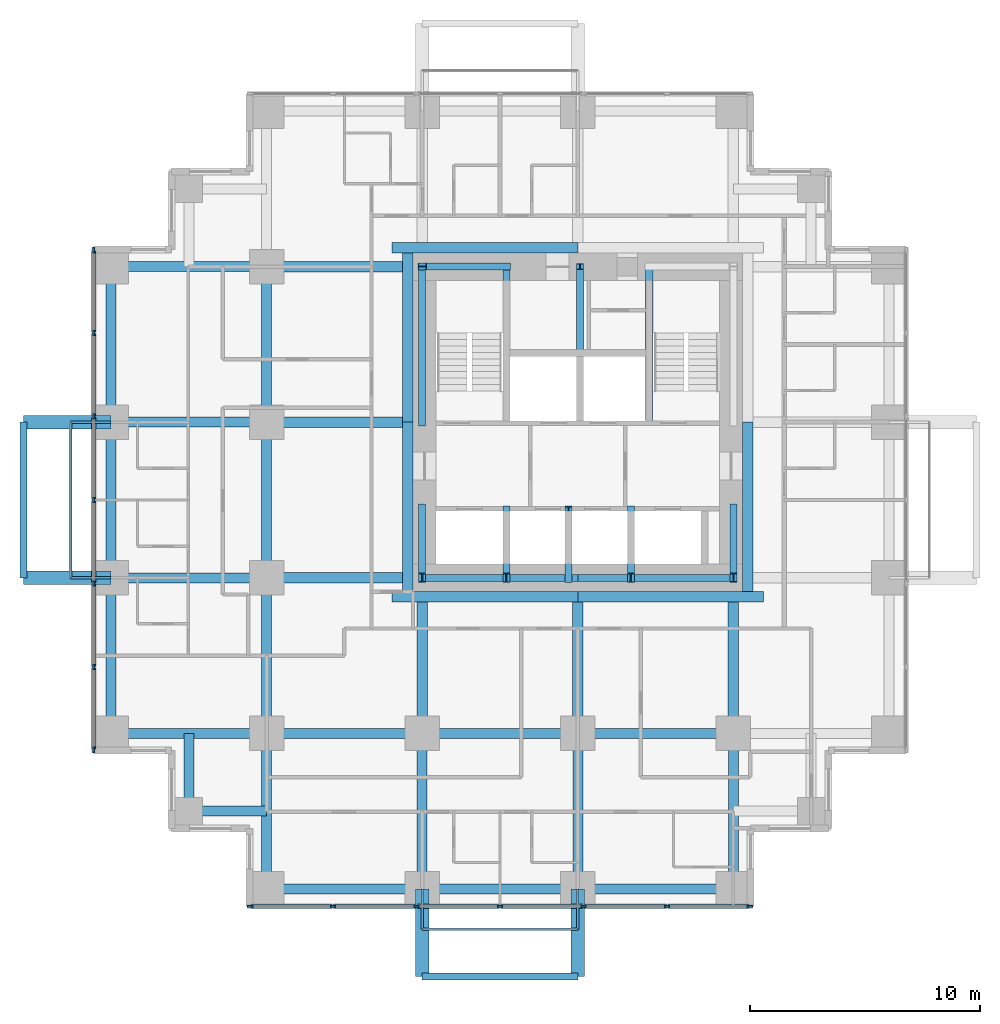
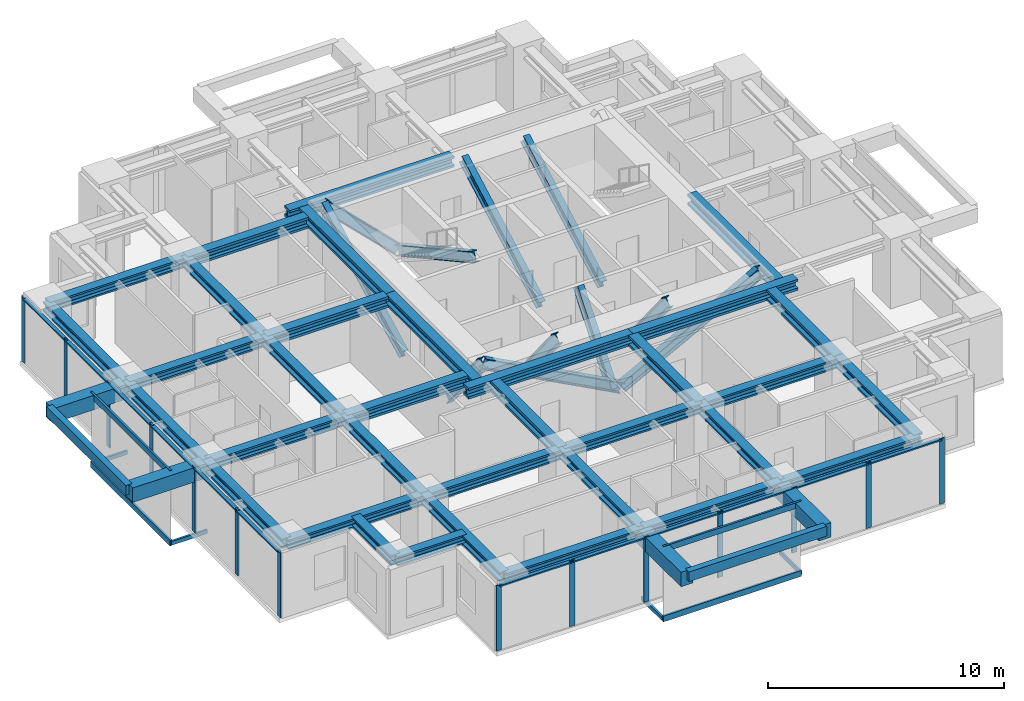
# One storey, part 2 of 10: 46 members, 40 beams, 2 elements without a shape of their own.
"""IFC4 building model written with IfcOpenShell, lengths in metres."""

from ifc_helpers import new_model, si_unit, direction, frame, origin, origin_2d, place, context, subcontext, project, spatial, rectangle, hollow_rectangle, i_section, extrude, material, material_profile, profile_set, type_object, element, aggregate, save


model = new_model("IFC4")

# Units and contexts
model_context = context("Model", 3, precision=1e-05, world=origin(), true_north=direction((0.0, 1.0)))
body_context = subcontext(model_context, "Body", "Model", "MODEL_VIEW")
ifc_project = project(units=[si_unit("LENGTHUNIT", "METRE"), si_unit("AREAUNIT", "SQUARE_METRE"), si_unit("VOLUMEUNIT", "CUBIC_METRE"), si_unit("PLANEANGLEUNIT", "RADIAN"), si_unit("MASSUNIT", "GRAM", prefix="KILO")], contexts=[model_context])

# Site, building, storey
site_placement = place(None, origin())
site = spatial("IfcSite", under=ifc_project, at=site_placement, CompositionType="ELEMENT")
building_placement = place(site_placement, origin())
building = spatial("IfcBuilding", under=site, at=building_placement, Name="Nyansa Garden Tower", CompositionType="ELEMENT")
storey_placement = place(building_placement, frame((0.0, 0.0, 167.39990234375)))
storey = spatial("IfcBuildingStorey", under=building, at=storey_placement, Name="L45", CompositionType="ELEMENT", Elevation=167.39990234375)

# Beams
ifc_material_1 = material(Name="Concrete C70/85", Category="concrete")
ifc_material_profile_1 = material_profile(ifc_material_1, rectangle(XDim=0.60009765625, YDim=0.75, at=origin_2d()), Name="RC 600x750")
ifc_profile_set_1 = profile_set([ifc_material_profile_1], Name="Concrete C70/85")
beam_type_1 = type_object("IfcBeamType", Name="Balcony cantilever beam CB1 RC 600x750", PredefinedType="BEAM", material=ifc_profile_set_1)
for number, where, z_axis, x_axis, name in (
    (1, (13.5, 0.0, 2.985107421875), (0.0, -1.0, 0.0), (1.0, 0.0, 0.0), "Balcony cantilever beam L46"),
    (2, (20.25, 0.0, 2.985107421875), (0.0, -1.0, 0.0), (1.0, 0.0, 0.0), "Balcony cantilever beam L46"),
    (3, (0.0, 13.5, 2.985107421875), (-1.0, 0.0, 0.0), (0.0, -1.0, 0.0), "Balcony cantilever beam L46"),
    (4, (0.0, 20.25, 2.985107421875), (-1.0, 0.0, 0.0), (0.0, -1.0, 0.0), "Balcony cantilever beam L46"),
):
    element("IfcBeam", number, at=place(storey_placement, frame(where, z_axis=z_axis, x_axis=x_axis)), inside=storey, type_object=beam_type_1, Name=name, PredefinedType="BEAM", context=body_context, shape_type="SweptSolid", body=[
        extrude(rectangle(XDim=0.60009765625, YDim=0.75, at=origin_2d()), origin(), (0.0, 0.0, 1.0), 3.800048828125),
    ])
ifc_material_2 = material(Name="Concrete C70/85", Category="concrete")
ifc_material_profile_2 = material_profile(ifc_material_2, rectangle(XDim=0.300048828125, YDim=0.5, at=origin_2d()), Name="RC 300x500")
ifc_profile_set_2 = profile_set([ifc_material_profile_2], Name="Concrete C70/85")
beam_type_2 = type_object("IfcBeamType", Name="Balcony edge beam BE1 RC 300x500", PredefinedType="BEAM", material=ifc_profile_set_2)
for number, where, z_axis, x_axis, name in (
    (5, (13.5, -3.800048828125, 3.110107421875), (1.0, 0.0, 0.0), (0.0, 1.0, 0.0), "Balcony edge beam L46"),
    (6, (-3.800048828125, 13.5, 3.110107421875), (0.0, 1.0, 0.0), (-1.0, 0.0, 0.0), "Balcony edge beam L46"),
):
    element("IfcBeam", number, at=place(storey_placement, frame(where, z_axis=z_axis, x_axis=x_axis)), inside=storey, type_object=beam_type_2, Name=name, PredefinedType="BEAM", context=body_context, shape_type="SweptSolid", body=[
        extrude(rectangle(XDim=0.300048828125, YDim=0.5, at=origin_2d()), origin(), (0.0, 0.0, 1.0), 6.75),
    ])

# Curtain wall, members
ifc_material_3 = material(Name="Black anodised aluminium, dark tinted double glazing", Category="aluminium")
curtain_wall_type = type_object("IfcCurtainWallType", Name="Inner skin curtain wall ISW-C", PredefinedType="USERDEFINED", material=ifc_material_3)
curtain_wall_1_placement = place(storey_placement, origin())
curtain_wall_1 = element("IfcCurtainWall", 7, at=curtain_wall_1_placement, inside=storey, type_object=curtain_wall_type, Name="Inner skin curtain wall L45 W", ObjectType="UNITISED CURTAIN WALL", PredefinedType="USERDEFINED")
ifc_material_4 = material(Name="Black anodised aluminium", Category="aluminium")
ifc_material_profile_3 = material_profile(ifc_material_4, rectangle(XDim=0.070068359375, YDim=0.25, at=origin_2d()), Name="Mullion 250x70")
ifc_profile_set_3 = profile_set([ifc_material_profile_3], Name="Black anodised aluminium")
member_type_1 = type_object("IfcMemberType", Name="Mullion ISW-C 250x70", PredefinedType="MULLION", material=ifc_profile_set_3)
member_1_placement = place(storey_placement, frame((-0.75, 27.715087890625, 0.0), z_axis=(0.0, 0.0, 1.0), x_axis=(1.0, 0.0, 0.0)))
member_1 = element("IfcMember", 8, at=member_1_placement, type_object=member_type_1, Name="ISW-C mullion 1", PredefinedType="MULLION", context=body_context, shape_type="SweptSolid", body=[
    extrude(rectangle(XDim=0.070068359375, YDim=0.25, at=origin_2d()), origin(), (0.0, 0.0, 1.0), 3.375),
])
member_2_placement = place(storey_placement, frame((-0.75, 24.125, 0.0), z_axis=(0.0, 0.0, 1.0), x_axis=(1.0, 0.0, 0.0)))
member_2 = element("IfcMember", 9, at=member_2_placement, type_object=member_type_1, Name="ISW-C mullion 2", PredefinedType="MULLION", context=body_context, shape_type="SweptSolid", body=[
    extrude(rectangle(XDim=0.070068359375, YDim=0.25, at=origin_2d()), origin(), (0.0, 0.0, 1.0), 3.375),
])
member_3_placement = place(storey_placement, frame((-0.75, 20.5, 0.0), z_axis=(0.0, 0.0, 1.0), x_axis=(1.0, 0.0, 0.0)))
member_3 = element("IfcMember", 10, at=member_3_placement, type_object=member_type_1, Name="ISW-C mullion 3", PredefinedType="MULLION", context=body_context, shape_type="SweptSolid", body=[
    extrude(rectangle(XDim=0.070068359375, YDim=0.25, at=origin_2d()), origin(), (0.0, 0.0, 1.0), 3.375),
])
member_4_placement = place(storey_placement, frame((-0.75, 16.875, 0.0), z_axis=(0.0, 0.0, 1.0), x_axis=(1.0, 0.0, 0.0)))
member_4 = element("IfcMember", 11, at=member_4_placement, type_object=member_type_1, Name="ISW-C mullion 4", PredefinedType="MULLION", context=body_context, shape_type="SweptSolid", body=[
    extrude(rectangle(XDim=0.070068359375, YDim=0.25, at=origin_2d()), origin(), (0.0, 0.0, 1.0), 3.375),
])
member_5_placement = place(storey_placement, frame((-0.75, 13.25, 0.0), z_axis=(0.0, 0.0, 1.0), x_axis=(1.0, 0.0, 0.0)))
member_5 = element("IfcMember", 12, at=member_5_placement, type_object=member_type_1, Name="ISW-C mullion 5", PredefinedType="MULLION", context=body_context, shape_type="SweptSolid", body=[
    extrude(rectangle(XDim=0.070068359375, YDim=0.25, at=origin_2d()), origin(), (0.0, 0.0, 1.0), 3.375),
])
member_6_placement = place(storey_placement, frame((-0.75, 9.625, 0.0), z_axis=(0.0, 0.0, 1.0), x_axis=(1.0, 0.0, 0.0)))
member_6 = element("IfcMember", 13, at=member_6_placement, type_object=member_type_1, Name="ISW-C mullion 6", PredefinedType="MULLION", context=body_context, shape_type="SweptSolid", body=[
    extrude(rectangle(XDim=0.070068359375, YDim=0.25, at=origin_2d()), origin(), (0.0, 0.0, 1.0), 3.375),
])
member_7_placement = place(storey_placement, frame((-0.75, 6.034912109375, 0.0), z_axis=(0.0, 0.0, 1.0), x_axis=(1.0, 0.0, 0.0)))
member_7 = element("IfcMember", 14, at=member_7_placement, type_object=member_type_1, Name="ISW-C mullion 7", PredefinedType="MULLION", context=body_context, shape_type="SweptSolid", body=[
    extrude(rectangle(XDim=0.070068359375, YDim=0.25, at=origin_2d()), origin(), (0.0, 0.0, 1.0), 3.375),
])

curtain_wall_2_placement = place(storey_placement, origin())
curtain_wall_2 = element("IfcCurtainWall", 15, at=curtain_wall_2_placement, inside=storey, type_object=curtain_wall_type, Name="Inner skin curtain wall L45 S", ObjectType="UNITISED CURTAIN WALL", PredefinedType="USERDEFINED")
member_8_placement = place(storey_placement, frame((6.034912109375, -0.75, 0.0), z_axis=(0.0, 0.0, 1.0), x_axis=(0.0, 1.0, 0.0)))
member_8 = element("IfcMember", 16, at=member_8_placement, type_object=member_type_1, Name="ISW-C mullion 1", PredefinedType="MULLION", context=body_context, shape_type="SweptSolid", body=[
    extrude(rectangle(XDim=0.070068359375, YDim=0.25, at=origin_2d()), origin(), (0.0, 0.0, 1.0), 3.375),
])
member_9_placement = place(storey_placement, frame((9.625, -0.75, 0.0), z_axis=(0.0, 0.0, 1.0), x_axis=(0.0, 1.0, 0.0)))
member_9 = element("IfcMember", 17, at=member_9_placement, type_object=member_type_1, Name="ISW-C mullion 2", PredefinedType="MULLION", context=body_context, shape_type="SweptSolid", body=[
    extrude(rectangle(XDim=0.070068359375, YDim=0.25, at=origin_2d()), origin(), (0.0, 0.0, 1.0), 3.375),
])
member_10_placement = place(storey_placement, frame((13.25, -0.75, 0.0), z_axis=(0.0, 0.0, 1.0), x_axis=(0.0, 1.0, 0.0)))
member_10 = element("IfcMember", 18, at=member_10_placement, type_object=member_type_1, Name="ISW-C mullion 3", PredefinedType="MULLION", context=body_context, shape_type="SweptSolid", body=[
    extrude(rectangle(XDim=0.070068359375, YDim=0.25, at=origin_2d()), origin(), (0.0, 0.0, 1.0), 3.375),
])
member_11_placement = place(storey_placement, frame((16.875, -0.75, 0.0), z_axis=(0.0, 0.0, 1.0), x_axis=(0.0, 1.0, 0.0)))
member_11 = element("IfcMember", 19, at=member_11_placement, type_object=member_type_1, Name="ISW-C mullion 4", PredefinedType="MULLION", context=body_context, shape_type="SweptSolid", body=[
    extrude(rectangle(XDim=0.070068359375, YDim=0.25, at=origin_2d()), origin(), (0.0, 0.0, 1.0), 3.375),
])
member_12_placement = place(storey_placement, frame((20.5, -0.75, 0.0), z_axis=(0.0, 0.0, 1.0), x_axis=(0.0, 1.0, 0.0)))
member_12 = element("IfcMember", 20, at=member_12_placement, type_object=member_type_1, Name="ISW-C mullion 5", PredefinedType="MULLION", context=body_context, shape_type="SweptSolid", body=[
    extrude(rectangle(XDim=0.070068359375, YDim=0.25, at=origin_2d()), origin(), (0.0, 0.0, 1.0), 3.375),
])
member_13_placement = place(storey_placement, frame((24.125, -0.75, 0.0), z_axis=(0.0, 0.0, 1.0), x_axis=(0.0, 1.0, 0.0)))
member_13 = element("IfcMember", 21, at=member_13_placement, type_object=member_type_1, Name="ISW-C mullion 6", PredefinedType="MULLION", context=body_context, shape_type="SweptSolid", body=[
    extrude(rectangle(XDim=0.070068359375, YDim=0.25, at=origin_2d()), origin(), (0.0, 0.0, 1.0), 3.375),
])
member_14_placement = place(storey_placement, frame((27.715087890625, -0.75, 0.0), z_axis=(0.0, 0.0, 1.0), x_axis=(0.0, 1.0, 0.0)))
member_14 = element("IfcMember", 22, at=member_14_placement, type_object=member_type_1, Name="ISW-C mullion 7", PredefinedType="MULLION", context=body_context, shape_type="SweptSolid", body=[
    extrude(rectangle(XDim=0.070068359375, YDim=0.25, at=origin_2d()), origin(), (0.0, 0.0, 1.0), 3.375),
])

# Members
ifc_material_5 = material(Name="Steel S355, black powder coated", Category="steel")
ifc_material_profile_4 = material_profile(ifc_material_5, hollow_rectangle(XDim=0.10009765625, YDim=0.199951171875, WallThickness=0.008056640625, at=origin_2d()), Name="RHS 200x100x8")
ifc_profile_set_4 = profile_set([ifc_material_profile_4], Name="Steel S355, black powder coated")
member_type_2 = type_object("IfcMemberType", Name="Outer skin bracket arm RHS 200x100x8", PredefinedType="USERDEFINED", material=ifc_profile_set_4)
for number, where, z_axis, x_axis, name in (
    (23, (0.0, 13.5, -0.375), (-1.0, 0.0, 0.0), (0.0, -1.0, 0.0), "Outer skin bracket arm"),
    (24, (0.0, 20.25, -0.375), (-1.0, 0.0, 0.0), (0.0, -1.0, 0.0), "Outer skin bracket arm"),
    (25, (13.5, 0.0, -0.375), (0.0, -1.0, 0.0), (1.0, 0.0, 0.0), "Outer skin bracket arm"),
    (26, (20.25, 0.0, -0.375), (0.0, -1.0, 0.0), (1.0, 0.0, 0.0), "Outer skin bracket arm"),
):
    element("IfcMember", number, at=place(storey_placement, frame(where, z_axis=z_axis, x_axis=x_axis)), inside=storey, type_object=member_type_2, Name=name, ObjectType="OUTER SKIN BRACKET", PredefinedType="USERDEFINED", context=body_context, shape_type="SweptSolid", body=[
        extrude(hollow_rectangle(XDim=0.10009765625, YDim=0.199951171875, WallThickness=0.008056640625, at=origin_2d()), origin(), (0.0, 0.0, 1.0), 1.75),
    ])
ifc_material_6 = material(Name="Steel S355, black powder coated", Category="steel")
ifc_material_profile_5 = material_profile(ifc_material_6, hollow_rectangle(XDim=0.10009765625, YDim=0.300048828125, WallThickness=0.010009765625, at=origin_2d()), Name="RHS 300x100x10")
ifc_profile_set_5 = profile_set([ifc_material_profile_5], Name="Steel S355, black powder coated")
member_type_3 = type_object("IfcMemberType", Name="Outer skin rail RHS 300x100x10", PredefinedType="USERDEFINED", material=ifc_profile_set_5)
for number, where, z_axis, x_axis, name in (
    (27, (-1.75, 13.5, -0.375), (0.0, 1.0, 0.0), (-1.0, 0.0, 0.0), "Outer skin rail L45"),
    (28, (-1.75, 13.5, 3.22509765625), (0.0, 1.0, 0.0), (-1.0, 0.0, 0.0), "Outer skin rail L45 head"),
    (29, (13.5, -1.75, -0.375), (1.0, 0.0, 0.0), (0.0, 1.0, 0.0), "Outer skin rail L45"),
    (30, (13.5, -1.75, 3.22509765625), (1.0, 0.0, 0.0), (0.0, 1.0, 0.0), "Outer skin rail L45 head"),
):
    element("IfcMember", number, at=place(storey_placement, frame(where, z_axis=z_axis, x_axis=x_axis)), inside=storey, type_object=member_type_3, Name=name, ObjectType="OUTER SKIN RAIL", PredefinedType="USERDEFINED", context=body_context, shape_type="SweptSolid", body=[
        extrude(hollow_rectangle(XDim=0.10009765625, YDim=0.300048828125, WallThickness=0.010009765625, at=origin_2d()), origin(), (0.0, 0.0, 1.0), 6.75),
    ])
ifc_material_7 = material(Name="Steel S355", Category="steel")
ifc_material_profile_6 = material_profile(ifc_material_7, i_section(OverallWidth=0.305908203125, OverallDepth=0.52392578125, WebThickness=0.02099609375, FlangeThickness=0.0400390625, FilletRadius=0.027099609375, at=origin_2d()), Name="HE 500 M")
ifc_profile_set_6 = profile_set([ifc_material_profile_6], Name="Steel S355")
member_type_4 = type_object("IfcMemberType", Name="Perimeter brace HE 500 M", PredefinedType="BRACE", material=ifc_profile_set_6)
for number, where, z_axis, x_axis, name in (
    (31, (20.25, 13.5, 0.0), (-0.882347640589, 0.0, 0.47059817376), (0.0, -1.0, 0.0), "Core brace CS1 L45"),
    (32, (20.25, 13.5, 0.0), (0.882347640589, 0.0, 0.47059817376), (0.0, 1.0, 0.0), "Core brace CS2 L45"),
):
    element("IfcMember", number, at=place(storey_placement, frame(where, z_axis=z_axis, x_axis=x_axis)), inside=storey, type_object=member_type_4, Name=name, PredefinedType="BRACE", context=body_context, shape_type="SweptSolid", body=[
        extrude(i_section(OverallWidth=0.305908203125, OverallDepth=0.52392578125, WebThickness=0.02099609375, FlangeThickness=0.0400390625, FilletRadius=0.027099609375, at=origin_2d()), origin(), (0.0, 0.0, 1.0), 7.650146484375),
    ])
member_15_placement = place(storey_placement, frame((17.14990234375, 27.0, 0.0), z_axis=(-0.711947531702, 0.0, 0.702232662373), x_axis=(0.0, -1.0, 0.0)))
element("IfcMember", 33, at=member_15_placement, inside=storey, type_object=member_type_4, Name="Core brace CN3 L45", PredefinedType="BRACE", context=body_context, shape_type="SweptSolid", body=[
    extrude(i_section(OverallWidth=0.305908203125, OverallDepth=0.52392578125, WebThickness=0.02099609375, FlangeThickness=0.0400390625, FilletRadius=0.027099609375, at=origin_2d()), origin(), (0.0, 0.0, 1.0), 5.126708984375),
])
member_16_placement = place(storey_placement, frame((13.5, 16.5, 0.0), z_axis=(0.0, -0.640174150918, 0.768229820104), x_axis=(1.0, 0.0, 0.0)))
element("IfcMember", 34, at=member_16_placement, inside=storey, type_object=member_type_4, Name="Core brace CW5 L45", PredefinedType="BRACE", context=body_context, shape_type="SweptSolid", body=[
    extrude(i_section(OverallWidth=0.305908203125, OverallDepth=0.52392578125, WebThickness=0.02099609375, FlangeThickness=0.0400390625, FilletRadius=0.027099609375, at=origin_2d()), origin(), (0.0, 0.0, 1.0), 4.686279296875),
])
member_17_placement = place(storey_placement, frame((13.5, 20.199951171875, 0.0), z_axis=(0.0, 0.883784057226, 0.467895009796), x_axis=(-1.0, 0.0, 0.0)))
element("IfcMember", 35, at=member_17_placement, inside=storey, type_object=member_type_4, Name="Core brace CW6 L45", PredefinedType="BRACE", context=body_context, shape_type="SweptSolid", body=[
    extrude(i_section(OverallWidth=0.305908203125, OverallDepth=0.52392578125, WebThickness=0.02099609375, FlangeThickness=0.0400390625, FilletRadius=0.027099609375, at=origin_2d()), origin(), (0.0, 0.0, 1.0), 7.6943359375),
])
member_18_placement = place(storey_placement, frame((27.0, 16.5, 0.0), z_axis=(0.0, -0.640174150918, 0.768229820104), x_axis=(1.0, 0.0, 0.0)))
element("IfcMember", 36, at=member_18_placement, inside=storey, type_object=member_type_4, Name="Core brace CE7 L45", PredefinedType="BRACE", context=body_context, shape_type="SweptSolid", body=[
    extrude(i_section(OverallWidth=0.305908203125, OverallDepth=0.52392578125, WebThickness=0.02099609375, FlangeThickness=0.0400390625, FilletRadius=0.027099609375, at=origin_2d()), origin(), (0.0, 0.0, 1.0), 4.686279296875),
])
for number, where, z_axis, x_axis, name in (
    (37, (17.14990234375, 27.0, 0.0), (0.0, -0.876353113771, 0.481669201822), (1.0, 0.0, 0.0), "Core brace CWS9 L45"),
    (38, (23.35009765625, 20.449951171875, 0.0), (0.0, 0.876353113771, 0.481669201822), (-1.0, 0.0, 0.0), "Core brace CES10 L45"),
):
    element("IfcMember", number, at=place(storey_placement, frame(where, z_axis=z_axis, x_axis=x_axis)), inside=storey, type_object=member_type_4, Name=name, PredefinedType="BRACE", context=body_context, shape_type="SweptSolid", body=[
        extrude(i_section(OverallWidth=0.305908203125, OverallDepth=0.52392578125, WebThickness=0.02099609375, FlangeThickness=0.0400390625, FilletRadius=0.027099609375, at=origin_2d()), origin(), (0.0, 0.0, 1.0), 7.47412109375),
    ])
for number, where, z_axis, x_axis, name in (
    (39, (17.14990234375, 16.39990234375, 0.0), (0.0, -0.627306405886, 0.778772542617), (1.0, 0.0, 0.0), "Core brace CSW11 L45"),
    (40, (19.85009765625, 13.5, 0.0), (0.0, 0.627306405886, 0.778772542617), (-1.0, 0.0, 0.0), "Core brace CSW12 L45"),
    (41, (22.550048828125, 16.39990234375, 0.0), (0.0, -0.627306405886, 0.778772542617), (1.0, 0.0, 0.0), "Core brace CSW13 L45"),
):
    element("IfcMember", number, at=place(storey_placement, frame(where, z_axis=z_axis, x_axis=x_axis)), inside=storey, type_object=member_type_4, Name=name, PredefinedType="BRACE", context=body_context, shape_type="SweptSolid", body=[
        extrude(i_section(OverallWidth=0.305908203125, OverallDepth=0.52392578125, WebThickness=0.02099609375, FlangeThickness=0.0400390625, FilletRadius=0.027099609375, at=origin_2d()), origin(), (0.0, 0.0, 1.0), 4.622802734375),
    ])
member_19_placement = place(storey_placement, frame((20.35009765625, 20.449951171875, 0.0), z_axis=(0.0, 0.876353113771, 0.481669201822), x_axis=(-1.0, 0.0, 0.0)))
element("IfcMember", 42, at=member_19_placement, inside=storey, type_object=member_type_4, Name="Core brace CNW14 L45", PredefinedType="BRACE", context=body_context, shape_type="SweptSolid", body=[
    extrude(i_section(OverallWidth=0.305908203125, OverallDepth=0.52392578125, WebThickness=0.02099609375, FlangeThickness=0.0400390625, FilletRadius=0.027099609375, at=origin_2d()), origin(), (0.0, 0.0, 1.0), 7.47412109375),
])

# Beams
ifc_material_8 = material(Name="Steel S355", Category="steel")
ifc_material_profile_7 = material_profile(ifc_material_8, i_section(OverallWidth=0.431884765625, OverallDepth=0.498046875, WebThickness=0.0556640625, FlangeThickness=0.0888671875, FilletRadius=0.014892578125, at=origin_2d()), Name="HD 400x744")
ifc_profile_set_7 = profile_set([ifc_material_profile_7], Name="Steel S355")
beam_type_3 = type_object("IfcBeamType", Name="Steel beam SBC1-744 HD 400x744", PredefinedType="BEAM", material=ifc_profile_set_7)
for number, where, z_axis, x_axis, name in (
    (43, (0.0, 6.75, 3.1259765625), (1.0, 0.0, 0.0), (0.0, 1.0, 0.0), "Steel beam 2/E-3/E L46"),
    (44, (0.0, 13.5, 3.1259765625), (1.0, 0.0, 0.0), (0.0, 1.0, 0.0), "Steel beam 2/F-3/F L46"),
    (45, (0.0, 20.25, 3.1259765625), (1.0, 0.0, 0.0), (0.0, 1.0, 0.0), "Steel beam 2/G-3/G L46"),
    (46, (0.0, 27.0, 3.1259765625), (1.0, 0.0, 0.0), (0.0, 1.0, 0.0), "Steel beam 2/H-3/H L46"),
    (47, (6.75, 0.0, 3.1259765625), (0.0, 1.0, 0.0), (-1.0, 0.0, 0.0), "Steel beam 3/D-3/E L46"),
    (48, (6.75, 6.75, 3.1259765625), (0.0, 1.0, 0.0), (-1.0, 0.0, 0.0), "Steel beam 3/E-3/F L46"),
    (49, (6.75, 6.75, 3.1259765625), (1.0, 0.0, 0.0), (0.0, 1.0, 0.0), "Steel beam 3/E-4/E L46"),
    (50, (6.75, 13.5, 3.1259765625), (0.0, 1.0, 0.0), (-1.0, 0.0, 0.0), "Steel beam 3/F-3/G L46"),
    (51, (6.75, 20.25, 3.1259765625), (0.0, 1.0, 0.0), (-1.0, 0.0, 0.0), "Steel beam 3/G-3/H L46"),
    (52, (13.5, 0.0, 3.1259765625), (0.0, 1.0, 0.0), (-1.0, 0.0, 0.0), "Steel beam 4/D-4/E L46"),
    (53, (13.5, 6.75, 3.1259765625), (1.0, 0.0, 0.0), (0.0, 1.0, 0.0), "Steel beam 4/E-5/E L46"),
    (54, (20.25, 0.0, 3.1259765625), (0.0, 1.0, 0.0), (-1.0, 0.0, 0.0), "Steel beam 5/D-5/E L46"),
    (55, (20.25, 6.75, 3.1259765625), (1.0, 0.0, 0.0), (0.0, 1.0, 0.0), "Steel beam 5/E-6/E L46"),
    (56, (27.0, 0.0, 3.1259765625), (0.0, 1.0, 0.0), (-1.0, 0.0, 0.0), "Steel beam 6/D-6/E L46"),
):
    element("IfcBeam", number, at=place(storey_placement, frame(where, z_axis=z_axis, x_axis=x_axis)), inside=storey, type_object=beam_type_3, Name=name, PredefinedType="BEAM", context=body_context, shape_type="SweptSolid", body=[
        extrude(i_section(OverallWidth=0.431884765625, OverallDepth=0.498046875, WebThickness=0.0556640625, FlangeThickness=0.0888671875, FilletRadius=0.014892578125, at=origin_2d()), origin(), (0.0, 0.0, 1.0), 6.75),
    ])
ifc_material_9 = material(Name="Steel S355", Category="steel")
ifc_material_profile_8 = material_profile(ifc_material_9, i_section(OverallWidth=0.4541015625, OverallDepth=0.569091796875, WebThickness=0.077880859375, FlangeThickness=0.125, FilletRadius=0.014892578125, at=origin_2d()), Name="HD 400x1086")
ifc_profile_set_8 = profile_set([ifc_material_profile_8], Name="Steel S355")
beam_type_4 = type_object("IfcBeamType", Name="Steel beam SCL-1086 HD 400x1086", PredefinedType="BEAM", material=ifc_profile_set_8)
for number, where, z_axis, x_axis, name in (
    (57, (6.75, 13.5, 3.090576171875), (1.0, 0.0, 0.0), (0.0, 1.0, 0.0), "Steel beam 3/F-12.650/F L46"),
    (58, (6.75, 20.25, 3.090576171875), (1.0, 0.0, 0.0), (0.0, 1.0, 0.0), "Steel beam 3/G-12.650/G L46"),
    (59, (6.75, 27.0, 3.090576171875), (1.0, 0.0, 0.0), (0.0, 1.0, 0.0), "Steel beam 3/H-12.650/H L46"),
):
    element("IfcBeam", number, at=place(storey_placement, frame(where, z_axis=z_axis, x_axis=x_axis)), inside=storey, type_object=beam_type_4, Name=name, PredefinedType="BEAM", context=body_context, shape_type="SweptSolid", body=[
        extrude(i_section(OverallWidth=0.4541015625, OverallDepth=0.569091796875, WebThickness=0.077880859375, FlangeThickness=0.125, FilletRadius=0.014892578125, at=origin_2d()), origin(), (0.0, 0.0, 1.0), 5.89990234375),
    ])
for number, where, z_axis, x_axis, name in (
    (60, (13.5, 6.75, 3.090576171875), (0.0, 1.0, 0.0), (-1.0, 0.0, 0.0), "Steel beam 4/E-4/12.450 L46"),
    (61, (20.25, 6.75, 3.090576171875), (0.0, 1.0, 0.0), (-1.0, 0.0, 0.0), "Steel beam 5/E-5/12.450 L46"),
    (62, (27.0, 6.75, 3.090576171875), (0.0, 1.0, 0.0), (-1.0, 0.0, 0.0), "Steel beam 6/E-6/12.450 L46"),
):
    element("IfcBeam", number, at=place(storey_placement, frame(where, z_axis=z_axis, x_axis=x_axis)), inside=storey, type_object=beam_type_4, Name=name, PredefinedType="BEAM", context=body_context, shape_type="SweptSolid", body=[
        extrude(i_section(OverallWidth=0.4541015625, OverallDepth=0.569091796875, WebThickness=0.077880859375, FlangeThickness=0.125, FilletRadius=0.014892578125, at=origin_2d()), origin(), (0.0, 0.0, 1.0), 5.699951171875),
    ])
for number, where, z_axis, x_axis, name in (
    (63, (12.199951171875, 12.673095703125, 3.090576171875), (1.0, 0.0, 0.0), (0.0, 1.0, 0.0), "Steel core ledger beam S.1 L46"),
    (64, (20.25, 12.673095703125, 3.090576171875), (1.0, 0.0, 0.0), (0.0, 1.0, 0.0), "Steel core ledger beam S.2 L46"),
):
    element("IfcBeam", number, at=place(storey_placement, frame(where, z_axis=z_axis, x_axis=x_axis)), inside=storey, type_object=beam_type_4, Name=name, PredefinedType="BEAM", context=body_context, shape_type="SweptSolid", body=[
        extrude(i_section(OverallWidth=0.4541015625, OverallDepth=0.569091796875, WebThickness=0.077880859375, FlangeThickness=0.125, FilletRadius=0.014892578125, at=origin_2d()), origin(), (0.0, 0.0, 1.0), 8.050048828125),
    ])
beam_1_placement = place(storey_placement, frame((27.626953125, 12.89990234375, 3.090576171875), z_axis=(0.0, 1.0, 0.0), x_axis=(-1.0, 0.0, 0.0)))
element("IfcBeam", 65, at=beam_1_placement, inside=storey, type_object=beam_type_4, Name="Steel core ledger beam E.1 L46", PredefinedType="BEAM", context=body_context, shape_type="SweptSolid", body=[
    extrude(i_section(OverallWidth=0.4541015625, OverallDepth=0.569091796875, WebThickness=0.077880859375, FlangeThickness=0.125, FilletRadius=0.014892578125, at=origin_2d()), origin(), (0.0, 0.0, 1.0), 7.35009765625),
])
beam_2_placement = place(storey_placement, frame((20.25, 27.826904296875, 3.090576171875), z_axis=(-1.0, 0.0, 0.0), x_axis=(0.0, -1.0, 0.0)))
element("IfcBeam", 66, at=beam_2_placement, inside=storey, type_object=beam_type_4, Name="Steel core ledger beam N.2 L46", PredefinedType="BEAM", context=body_context, shape_type="SweptSolid", body=[
    extrude(i_section(OverallWidth=0.4541015625, OverallDepth=0.569091796875, WebThickness=0.077880859375, FlangeThickness=0.125, FilletRadius=0.014892578125, at=origin_2d()), origin(), (0.0, 0.0, 1.0), 8.050048828125),
])
for number, where, z_axis, x_axis, name in (
    (67, (12.873046875, 27.60009765625, 3.090576171875), (0.0, -1.0, 0.0), (1.0, 0.0, 0.0), "Steel core ledger beam W.1 L46"),
    (68, (12.873046875, 20.25, 3.090576171875), (0.0, -1.0, 0.0), (1.0, 0.0, 0.0), "Steel core ledger beam W.2 L46"),
):
    element("IfcBeam", number, at=place(storey_placement, frame(where, z_axis=z_axis, x_axis=x_axis)), inside=storey, type_object=beam_type_4, Name=name, PredefinedType="BEAM", context=body_context, shape_type="SweptSolid", body=[
        extrude(i_section(OverallWidth=0.4541015625, OverallDepth=0.569091796875, WebThickness=0.077880859375, FlangeThickness=0.125, FilletRadius=0.014892578125, at=origin_2d()), origin(), (0.0, 0.0, 1.0), 7.35009765625),
    ])
ifc_material_10 = material(Name="Steel S355", Category="steel")
ifc_material_profile_9 = material_profile(ifc_material_10, i_section(OverallWidth=0.431884765625, OverallDepth=0.498046875, WebThickness=0.0556640625, FlangeThickness=0.0888671875, FilletRadius=0.014892578125, at=origin_2d()), Name="HD 400x744")
ifc_profile_set_9 = profile_set([ifc_material_profile_9], Name="Steel S355")
beam_type_5 = type_object("IfcBeamType", Name="Steel beam SEBC-744 HD 400x744", PredefinedType="BEAM", material=ifc_profile_set_9)
for number, where, z_axis, x_axis, name in (
    (69, (0.0, 6.75, 3.1259765625), (0.0, 1.0, 0.0), (-1.0, 0.0, 0.0), "Steel edge beam 2/E-2/F L46"),
    (70, (0.0, 13.5, 3.1259765625), (0.0, 1.0, 0.0), (-1.0, 0.0, 0.0), "Steel edge beam 2/F-2/G L46"),
    (71, (0.0, 20.25, 3.1259765625), (0.0, 1.0, 0.0), (-1.0, 0.0, 0.0), "Steel edge beam 2/G-2/H L46"),
    (72, (6.75, 0.0, 3.1259765625), (1.0, 0.0, 0.0), (0.0, 1.0, 0.0), "Steel edge beam 3/D-4/D L46"),
    (73, (13.5, 0.0, 3.1259765625), (1.0, 0.0, 0.0), (0.0, 1.0, 0.0), "Steel edge beam 4/D-5/D L46"),
    (74, (20.25, 0.0, 3.1259765625), (1.0, 0.0, 0.0), (0.0, 1.0, 0.0), "Steel edge beam 5/D-6/D L46"),
):
    element("IfcBeam", number, at=place(storey_placement, frame(where, z_axis=z_axis, x_axis=x_axis)), inside=storey, type_object=beam_type_5, Name=name, PredefinedType="BEAM", context=body_context, shape_type="SweptSolid", body=[
        extrude(i_section(OverallWidth=0.431884765625, OverallDepth=0.498046875, WebThickness=0.0556640625, FlangeThickness=0.0888671875, FilletRadius=0.014892578125, at=origin_2d()), origin(), (0.0, 0.0, 1.0), 6.75),
    ])
ifc_material_11 = material(Name="Steel S355", Category="steel")
ifc_material_profile_10 = material_profile(ifc_material_11, i_section(OverallWidth=0.431884765625, OverallDepth=0.498046875, WebThickness=0.0556640625, FlangeThickness=0.0888671875, FilletRadius=0.014892578125, at=origin_2d()), Name="HD 400x744")
ifc_profile_set_10 = profile_set([ifc_material_profile_10], Name="Steel S355")
beam_type_6 = type_object("IfcBeamType", Name="Steel beam SSB1-744 HD 400x744", PredefinedType="BEAM", material=ifc_profile_set_10)
for number, where, z_axis, x_axis, name in (
    (75, (3.375, 3.375, 3.1259765625), (0.0, 1.0, 0.0), (-1.0, 0.0, 0.0), "Steel step beam 3.375/3.375 L46"),
    (76, (3.375, 3.375, 3.1259765625), (1.0, 0.0, 0.0), (0.0, 1.0, 0.0), "Steel step beam 3.375/3.375 L46"),
):
    element("IfcBeam", number, at=place(storey_placement, frame(where, z_axis=z_axis, x_axis=x_axis)), inside=storey, type_object=beam_type_6, Name=name, PredefinedType="BEAM", context=body_context, shape_type="SweptSolid", body=[
        extrude(i_section(OverallWidth=0.431884765625, OverallDepth=0.498046875, WebThickness=0.0556640625, FlangeThickness=0.0888671875, FilletRadius=0.014892578125, at=origin_2d()), origin(), (0.0, 0.0, 1.0), 3.375),
    ])

# Member
ifc_material_12 = material(Name="Black anodised aluminium", Category="aluminium")
ifc_material_profile_11 = material_profile(ifc_material_12, rectangle(XDim=0.179931640625, YDim=0.070068359375, at=origin_2d()), Name="Transom 180x70")
ifc_profile_set_11 = profile_set([ifc_material_profile_11], Name="Black anodised aluminium")
member_type_5 = type_object("IfcMemberType", Name="Transom ISW-C 180x70", PredefinedType="USERDEFINED", material=ifc_profile_set_11)
member_20_placement = place(storey_placement, frame((-0.75, 27.679931640625, 3.340087890625), z_axis=(0.0, -1.0, 0.0), x_axis=(1.0, 0.0, 0.0)))
member_20 = element("IfcMember", 77, at=member_20_placement, type_object=member_type_5, Name="ISW-C transom 1", ObjectType="TRANSOM", PredefinedType="USERDEFINED", context=body_context, shape_type="SweptSolid", body=[
    extrude(rectangle(XDim=0.179931640625, YDim=0.070068359375, at=origin_2d()), origin(), (0.0, 0.0, 1.0), 3.52001953125),
])

member_21_placement = place(storey_placement, frame((-0.75, 24.090087890625, 3.340087890625), z_axis=(0.0, -1.0, 0.0), x_axis=(1.0, 0.0, 0.0)))
member_21 = element("IfcMember", 78, at=member_21_placement, type_object=member_type_5, Name="ISW-C transom 2", ObjectType="TRANSOM", PredefinedType="USERDEFINED", context=body_context, shape_type="SweptSolid", body=[
    extrude(rectangle(XDim=0.179931640625, YDim=0.070068359375, at=origin_2d()), origin(), (0.0, 0.0, 1.0), 3.55517578125),
])

member_22_placement = place(storey_placement, frame((-0.75, 20.465087890625, 3.340087890625), z_axis=(0.0, -1.0, 0.0), x_axis=(1.0, 0.0, 0.0)))
member_22 = element("IfcMember", 79, at=member_22_placement, type_object=member_type_5, Name="ISW-C transom 3", ObjectType="TRANSOM", PredefinedType="USERDEFINED", context=body_context, shape_type="SweptSolid", body=[
    extrude(rectangle(XDim=0.179931640625, YDim=0.070068359375, at=origin_2d()), origin(), (0.0, 0.0, 1.0), 3.55517578125),
])

member_23_placement = place(storey_placement, frame((-0.75, 16.840087890625, 3.340087890625), z_axis=(0.0, -1.0, 0.0), x_axis=(1.0, 0.0, 0.0)))
member_23 = element("IfcMember", 80, at=member_23_placement, type_object=member_type_5, Name="ISW-C transom 4", ObjectType="TRANSOM", PredefinedType="USERDEFINED", context=body_context, shape_type="SweptSolid", body=[
    extrude(rectangle(XDim=0.179931640625, YDim=0.070068359375, at=origin_2d()), origin(), (0.0, 0.0, 1.0), 3.55517578125),
])

member_24_placement = place(storey_placement, frame((-0.75, 13.215087890625, 3.340087890625), z_axis=(0.0, -1.0, 0.0), x_axis=(1.0, 0.0, 0.0)))
member_24 = element("IfcMember", 81, at=member_24_placement, type_object=member_type_5, Name="ISW-C transom 5", ObjectType="TRANSOM", PredefinedType="USERDEFINED", context=body_context, shape_type="SweptSolid", body=[
    extrude(rectangle(XDim=0.179931640625, YDim=0.070068359375, at=origin_2d()), origin(), (0.0, 0.0, 1.0), 3.55517578125),
])

member_25_placement = place(storey_placement, frame((-0.75, 9.590087890625, 3.340087890625), z_axis=(0.0, -1.0, 0.0), x_axis=(1.0, 0.0, 0.0)))
member_25 = element("IfcMember", 82, at=member_25_placement, type_object=member_type_5, Name="ISW-C transom 6", ObjectType="TRANSOM", PredefinedType="USERDEFINED", context=body_context, shape_type="SweptSolid", body=[
    extrude(rectangle(XDim=0.179931640625, YDim=0.070068359375, at=origin_2d()), origin(), (0.0, 0.0, 1.0), 3.52001953125),
])

aggregate(curtain_wall_1, [member_1, member_2, member_3, member_4, member_5, member_6, member_7, member_20, member_21, member_22, member_23, member_24, member_25])

member_26_placement = place(storey_placement, frame((6.070068359375, -0.75, 3.340087890625), z_axis=(1.0, 0.0, 0.0), x_axis=(0.0, 1.0, 0.0)))
member_26 = element("IfcMember", 83, at=member_26_placement, type_object=member_type_5, Name="ISW-C transom 1", ObjectType="TRANSOM", PredefinedType="USERDEFINED", context=body_context, shape_type="SweptSolid", body=[
    extrude(rectangle(XDim=0.179931640625, YDim=0.070068359375, at=origin_2d()), origin(), (0.0, 0.0, 1.0), 3.52001953125),
])

member_27_placement = place(storey_placement, frame((9.659912109375, -0.75, 3.340087890625), z_axis=(1.0, 0.0, 0.0), x_axis=(0.0, 1.0, 0.0)))
member_27 = element("IfcMember", 84, at=member_27_placement, type_object=member_type_5, Name="ISW-C transom 2", ObjectType="TRANSOM", PredefinedType="USERDEFINED", context=body_context, shape_type="SweptSolid", body=[
    extrude(rectangle(XDim=0.179931640625, YDim=0.070068359375, at=origin_2d()), origin(), (0.0, 0.0, 1.0), 3.55517578125),
])

member_28_placement = place(storey_placement, frame((13.284912109375, -0.75, 3.340087890625), z_axis=(1.0, 0.0, 0.0), x_axis=(0.0, 1.0, 0.0)))
member_28 = element("IfcMember", 85, at=member_28_placement, type_object=member_type_5, Name="ISW-C transom 3", ObjectType="TRANSOM", PredefinedType="USERDEFINED", context=body_context, shape_type="SweptSolid", body=[
    extrude(rectangle(XDim=0.179931640625, YDim=0.070068359375, at=origin_2d()), origin(), (0.0, 0.0, 1.0), 3.55517578125),
])

member_29_placement = place(storey_placement, frame((16.909912109375, -0.75, 3.340087890625), z_axis=(1.0, 0.0, 0.0), x_axis=(0.0, 1.0, 0.0)))
member_29 = element("IfcMember", 86, at=member_29_placement, type_object=member_type_5, Name="ISW-C transom 4", ObjectType="TRANSOM", PredefinedType="USERDEFINED", context=body_context, shape_type="SweptSolid", body=[
    extrude(rectangle(XDim=0.179931640625, YDim=0.070068359375, at=origin_2d()), origin(), (0.0, 0.0, 1.0), 3.55517578125),
])

member_30_placement = place(storey_placement, frame((20.534912109375, -0.75, 3.340087890625), z_axis=(1.0, 0.0, 0.0), x_axis=(0.0, 1.0, 0.0)))
member_30 = element("IfcMember", 87, at=member_30_placement, type_object=member_type_5, Name="ISW-C transom 5", ObjectType="TRANSOM", PredefinedType="USERDEFINED", context=body_context, shape_type="SweptSolid", body=[
    extrude(rectangle(XDim=0.179931640625, YDim=0.070068359375, at=origin_2d()), origin(), (0.0, 0.0, 1.0), 3.55517578125),
])

member_31_placement = place(storey_placement, frame((24.159912109375, -0.75, 3.340087890625), z_axis=(1.0, 0.0, 0.0), x_axis=(0.0, 1.0, 0.0)))
member_31 = element("IfcMember", 88, at=member_31_placement, type_object=member_type_5, Name="ISW-C transom 6", ObjectType="TRANSOM", PredefinedType="USERDEFINED", context=body_context, shape_type="SweptSolid", body=[
    extrude(rectangle(XDim=0.179931640625, YDim=0.070068359375, at=origin_2d()), origin(), (0.0, 0.0, 1.0), 3.52001953125),
])

aggregate(curtain_wall_2, [member_8, member_9, member_10, member_11, member_12, member_13, member_14, member_26, member_27, member_28, member_29, member_30, member_31])

save(model, "model.ifc")
